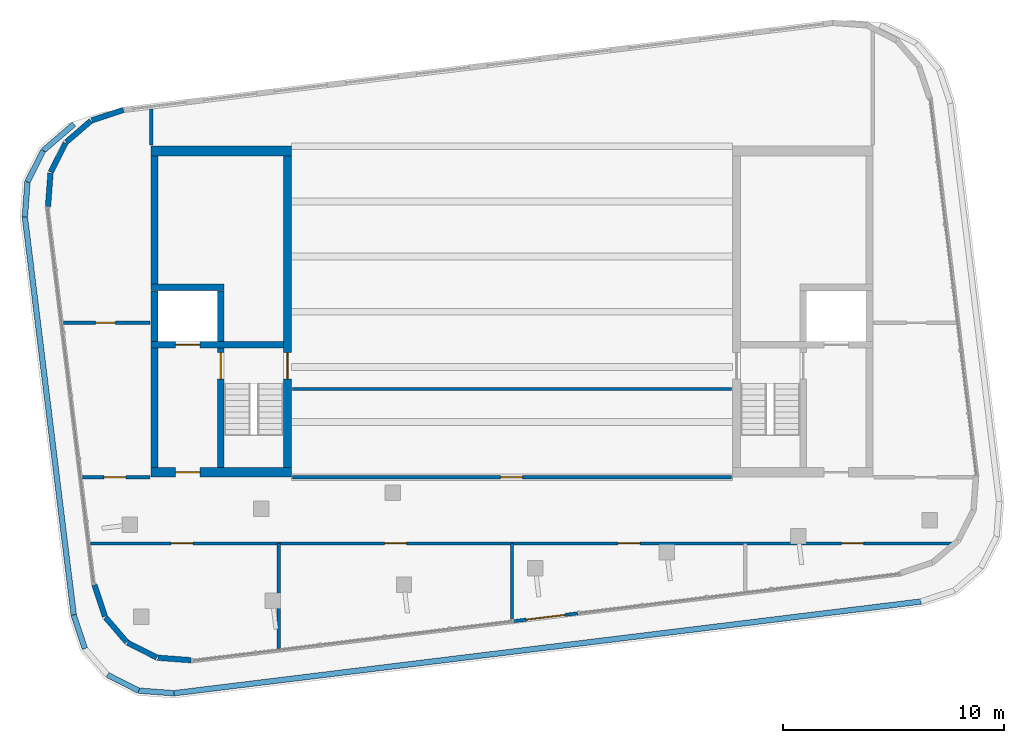
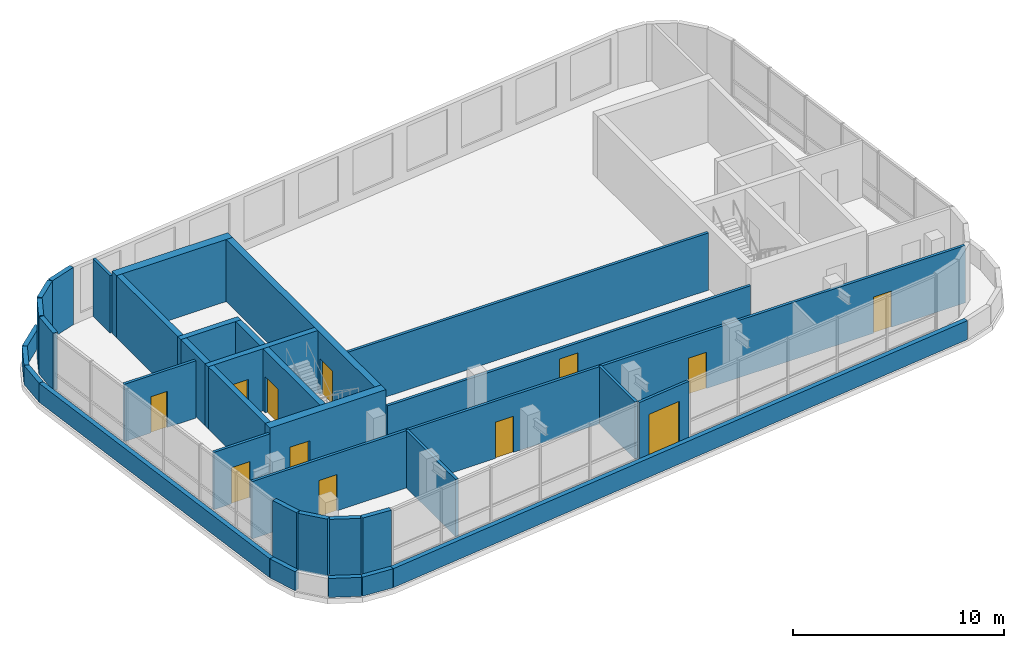
# One storey, part 5 of 8: 35 walls, 12 doors, 12 openings.
"""IFC4 building model written with IfcOpenShell, lengths in metres."""

from ifc_helpers import new_model, si_unit, direction, frame, frame_2d, origin, place, context, subcontext, project, spatial, rectangle, extrude, material, layer, layer_set, type_object, element, fill, save


model = new_model("IFC4")

# Units and contexts
model_context = context("Model", 3, precision=1e-05, world=origin(), true_north=direction((0.0, 1.0)))
body_context = subcontext(model_context, "Body", "Model", "MODEL_VIEW")
ifc_project = project(units=[si_unit("LENGTHUNIT", "METRE"), si_unit("AREAUNIT", "SQUARE_METRE"), si_unit("VOLUMEUNIT", "CUBIC_METRE"), si_unit("PLANEANGLEUNIT", "RADIAN"), si_unit("MASSUNIT", "GRAM", prefix="KILO")], contexts=[model_context])

# Site, building, storey
site_placement = place(None, origin())
site = spatial("IfcSite", under=ifc_project, at=site_placement, CompositionType="ELEMENT")
building_placement = place(site_placement, origin())
building = spatial("IfcBuilding", under=site, at=building_placement, Name="Torana Hotel and Residences", CompositionType="ELEMENT")
storey_placement = place(building_placement, frame((0.0, 0.0, 350.199951171875)))
storey = spatial("IfcBuildingStorey", under=building, at=storey_placement, Name="C2", CompositionType="ELEMENT", Elevation=350.199951171875)

# Walls
ifc_material_1 = material(Name="Concrete C50/60", Category="concrete")
ifc_layer_1 = layer(ifc_material_1, 0.300048828125)
ifc_layer_set_1 = layer_set([ifc_layer_1], Name="CORE WALL 300 C50/60")
wall_type_1 = type_object("IfcWallType", Name="CORE WALL 300 C50/60", PredefinedType="SHEAR", material=ifc_layer_set_1)
wall_1_placement = place(storey_placement, frame((-16.199951171875, -6.25, 0.0), z_axis=(0.0, 0.0, 1.0), x_axis=(0.0, 1.0, 0.0)))
element("IfcWall", 1, at=wall_1_placement, inside=storey, type_object=wall_type_1, Name="Core wall W outer-n", PredefinedType="SHEAR", context=body_context, shape_type="SweptSolid", body=[
    extrude(rectangle(XDim=5.800048828125, YDim=0.300048828125, at=frame_2d((2.89990234375, 0.0))), origin(), (0.0, 0.0, 1.0), 3.60009765625),
])
wall_2_placement = place(storey_placement, frame((-16.199951171875, -14.550048828125, 0.0), z_axis=(0.0, 0.0, 1.0), x_axis=(0.0, 1.0, 0.0)))
element("IfcWall", 2, at=wall_2_placement, inside=storey, type_object=wall_type_1, Name="Core wall W outer-s", PredefinedType="SHEAR", context=body_context, shape_type="SweptSolid", body=[
    extrude(rectangle(XDim=5.400146484375, YDim=0.300048828125, at=frame_2d((2.7001953125, 0.0))), origin(), (0.0, 0.0, 1.0), 3.60009765625),
])

# Wall, opening, door
wall_3_placement = place(storey_placement, frame((-16.35009765625, -9.0, 0.0), z_axis=(0.0, 0.0, 1.0), x_axis=(1.0, 0.0, 0.0)))
wall_3 = element("IfcWall", 3, at=wall_3_placement, inside=storey, type_object=wall_type_1, Name="Core wall W band", PredefinedType="SHEAR", context=body_context, shape_type="SweptSolid", body=[
    extrude(rectangle(XDim=6.0, YDim=0.300048828125, at=frame_2d((3.0, 0.0))), origin(), (0.0, 0.0, 1.0), 3.60009765625),
])
opening_1_placement = place(wall_3_placement, frame((1.10009765625, 0.0, 0.0)))
opening_1 = element("IfcOpeningElement", 4, at=opening_1_placement, cuts=wall_3, Name="Opening LD", PredefinedType="OPENING", context=body_context, shape_type="SweptSolid", body=[
    extrude(rectangle(XDim=1.10009765625, YDim=2.10009765625, at=frame_2d((0.550048828125, 1.050048828125))), frame((0.0, 0.159912109375, 0.0), z_axis=(0.0, -1.0, 0.0), x_axis=(1.0, 0.0, 0.0)), (0.0, 0.0, 1.0), 0.320068359375),
])
ifc_material_2 = material(Name="Stainless steel 316", Category="steel")
door_type_1 = type_object("IfcDoorType", Name="LIFT LANDING DOOR LD 1100x2100", OperationType="DOUBLE_DOOR_SLIDING", PredefinedType="USERDEFINED", material=ifc_material_2)
door_1_placement = place(opening_1_placement, origin())
door_1 = element("IfcDoor", 5, at=door_1_placement, inside=storey, type_object=door_type_1, Name="Lift landing door FF1 C2", ObjectType="LIFT LANDING DOOR", OperationType="DOUBLE_DOOR_SLIDING", OverallHeight=2.10009765625, OverallWidth=1.10009765625, PredefinedType="USERDEFINED", context=body_context, shape_type="SweptSolid", body=[
    extrude(rectangle(XDim=1.10009765625, YDim=2.10009765625, at=frame_2d((0.550048828125, 1.050048828125))), frame((0.0, 0.02490234375, 0.0), z_axis=(0.0, -1.0, 0.0), x_axis=(1.0, 0.0, 0.0)), (0.0, 0.0, 1.0), 0.050048828125),
])
fill(opening_1, door_1)

wall_4_placement = place(storey_placement, frame((-13.199951171875, -14.550048828125, 0.0), z_axis=(0.0, 0.0, 1.0), x_axis=(0.0, 1.0, 0.0)))
wall_4 = element("IfcWall", 6, at=wall_4_placement, inside=storey, type_object=wall_type_1, Name="Core wall W x3.05-band", PredefinedType="SHEAR", context=body_context, shape_type="SweptSolid", body=[
    extrude(rectangle(XDim=5.400146484375, YDim=0.300048828125, at=frame_2d((2.7001953125, 0.0))), origin(), (0.0, 0.0, 1.0), 3.60009765625),
])
opening_2_placement = place(wall_4_placement, frame((4.0, 0.0, 0.0)))
opening_2 = element("IfcOpeningElement", 7, at=opening_2_placement, cuts=wall_4, Name="Opening C2-03", PredefinedType="OPENING", context=body_context, shape_type="SweptSolid", body=[
    extrude(rectangle(XDim=1.199951171875, YDim=2.10009765625, at=frame_2d((0.60009765625, 1.050048828125))), frame((0.0, 0.159912109375, 0.0), z_axis=(0.0, -1.0, 0.0), x_axis=(1.0, 0.0, 0.0)), (0.0, 0.0, 1.0), 0.320068359375),
])
ifc_material_3 = material(Name="Steel S235", Category="steel")
door_type_2 = type_object("IfcDoorType", Name="STAIR FIRE DOOR D3 1200x2100", OperationType="SINGLE_SWING_LEFT", PredefinedType="DOOR", material=ifc_material_3)
door_2_placement = place(opening_2_placement, frame((0.60009765625, 0.0, 0.0), z_axis=(0.0, 0.0, 1.0), x_axis=(-1.0, 0.0, 0.0)))
door_2 = element("IfcDoor", 8, at=door_2_placement, inside=storey, type_object=door_type_2, Name="Stair-A-lobby door C2", OperationType="SINGLE_SWING_RIGHT", OverallHeight=2.10009765625, OverallWidth=1.199951171875, PredefinedType="DOOR", context=body_context, shape_type="SweptSolid", body=[
    extrude(rectangle(XDim=1.199951171875, YDim=2.10009765625, at=frame_2d((0.0, 1.050048828125))), frame((0.0, -0.02490234375, 0.0), z_axis=(0.0, 1.0, 0.0), x_axis=(-1.0, 0.0, 0.0)), (0.0, 0.0, 1.0), 0.050048828125),
])
fill(opening_2, door_2)

# Walls
wall_5_placement = place(storey_placement, frame((-16.35009765625, -6.39990234375, 0.0), z_axis=(0.0, 0.0, 1.0), x_axis=(1.0, 0.0, 0.0)))
element("IfcWall", 9, at=wall_5_placement, inside=storey, type_object=wall_type_1, Name="Core wall W row-S", PredefinedType="SHEAR", context=body_context, shape_type="SweptSolid", body=[
    extrude(rectangle(XDim=3.300048828125, YDim=0.300048828125, at=frame_2d((1.64990234375, 0.0))), origin(), (0.0, 0.0, 1.0), 3.60009765625),
])
for number, where, z_axis, x_axis, name in (
    (10, (-13.199951171875, -8.85009765625, 0.0), (0.0, 0.0, 1.0), (0.0, 1.0, 0.0), "Core wall W x3.05-S"),
    (11, (-16.199951171875, -8.85009765625, 0.0), (0.0, 0.0, 1.0), (0.0, 1.0, 0.0), "Core wall W x6.05-S"),
):
    element("IfcWall", number, at=place(storey_placement, frame(where, z_axis=z_axis, x_axis=x_axis)), inside=storey, type_object=wall_type_1, Name=name, PredefinedType="SHEAR", context=body_context, shape_type="SweptSolid", body=[
        extrude(rectangle(XDim=2.300048828125, YDim=0.300048828125, at=frame_2d((1.14990234375, 0.0))), origin(), (0.0, 0.0, 1.0), 3.60009765625),
    ])

# Wall, opening, door
ifc_material_4 = material(Name="Concrete C50/60", Category="concrete")
ifc_layer_2 = layer(ifc_material_4, 0.35009765625)
ifc_layer_set_2 = layer_set([ifc_layer_2], Name="CORE WALL 350 C50/60")
wall_type_2 = type_object("IfcWallType", Name="CORE WALL 350 C50/60", PredefinedType="SHEAR", material=ifc_layer_set_2)
wall_6_placement = place(storey_placement, frame((-10.175048828125, -14.550048828125, 0.0), z_axis=(0.0, 0.0, 1.0), x_axis=(0.0, 1.0, 0.0)))
wall_6 = element("IfcWall", 12, at=wall_6_placement, inside=storey, type_object=wall_type_2, Name="Core wall W arch", PredefinedType="SHEAR", context=body_context, shape_type="SweptSolid", body=[
    extrude(rectangle(XDim=14.10009765625, YDim=0.35009765625, at=frame_2d((7.050048828125, 0.0))), origin(), (0.0, 0.0, 1.0), 3.60009765625),
])
opening_3_placement = place(wall_6_placement, frame((4.0, 0.0, 0.0)))
opening_3 = element("IfcOpeningElement", 13, at=opening_3_placement, cuts=wall_6, Name="Opening C2-01", PredefinedType="OPENING", context=body_context, shape_type="SweptSolid", body=[
    extrude(rectangle(XDim=1.199951171875, YDim=2.10009765625, at=frame_2d((0.60009765625, 1.050048828125))), frame((0.0, 0.18505859375, 0.0), z_axis=(0.0, -1.0, 0.0), x_axis=(1.0, 0.0, 0.0)), (0.0, 0.0, 1.0), 0.3701171875),
])
door_3_placement = place(opening_3_placement, origin())
door_3 = element("IfcDoor", 14, at=door_3_placement, inside=storey, type_object=door_type_2, Name="Stair-A door C2", OperationType="SINGLE_SWING_LEFT", OverallHeight=2.10009765625, OverallWidth=1.199951171875, PredefinedType="DOOR", context=body_context, shape_type="SweptSolid", body=[
    extrude(rectangle(XDim=1.199951171875, YDim=2.10009765625, at=frame_2d((0.60009765625, 1.050048828125))), frame((0.0, 0.02490234375, 0.0), z_axis=(0.0, -1.0, 0.0), x_axis=(1.0, 0.0, 0.0)), (0.0, 0.0, 1.0), 0.050048828125),
])
fill(opening_3, door_3)

# Wall
ifc_material_5 = material(Name="Concrete C50/60", Category="concrete")
ifc_layer_3 = layer(ifc_material_5, 0.449951171875)
ifc_layer_set_3 = layer_set([ifc_layer_3], Name="CORE WALL 450 C50/60")
wall_type_3 = type_object("IfcWallType", Name="CORE WALL 450 C50/60", PredefinedType="SHEAR", material=ifc_layer_set_3)
wall_7_placement = place(storey_placement, frame((-16.35009765625, -0.22509765625, 0.0), z_axis=(0.0, 0.0, 1.0), x_axis=(1.0, 0.0, 0.0)))
element("IfcWall", 15, at=wall_7_placement, inside=storey, type_object=wall_type_3, Name="Core wall W rear", PredefinedType="SHEAR", context=body_context, shape_type="SweptSolid", body=[
    extrude(rectangle(XDim=6.35009765625, YDim=0.449951171875, at=frame_2d((3.175048828125, 0.0))), origin(), (0.0, 0.0, 1.0), 3.60009765625),
])

# Wall, opening, door
wall_8_placement = place(storey_placement, frame((-16.35009765625, -14.77490234375, 0.0), z_axis=(0.0, 0.0, 1.0), x_axis=(1.0, 0.0, 0.0)))
wall_8 = element("IfcWall", 16, at=wall_8_placement, inside=storey, type_object=wall_type_3, Name="Core wall W front", PredefinedType="SHEAR", context=body_context, shape_type="SweptSolid", body=[
    extrude(rectangle(XDim=6.35009765625, YDim=0.449951171875, at=frame_2d((3.175048828125, 0.0))), origin(), (0.0, 0.0, 1.0), 3.60009765625),
])
opening_4_placement = place(wall_8_placement, frame((1.10009765625, 0.0, 0.0)))
opening_4 = element("IfcOpeningElement", 17, at=opening_4_placement, cuts=wall_8, Name="Opening C2-02", PredefinedType="OPENING", context=body_context, shape_type="SweptSolid", body=[
    extrude(rectangle(XDim=1.10009765625, YDim=2.10009765625, at=frame_2d((0.550048828125, 1.050048828125))), frame((0.0, 0.23486328125, 0.0), z_axis=(0.0, -1.0, 0.0), x_axis=(1.0, 0.0, 0.0)), (0.0, 0.0, 1.0), 0.469970703125),
])
ifc_material_6 = material(Name="Steel S235", Category="steel")
door_type_3 = type_object("IfcDoorType", Name="FIRE-FIGHTING LOBBY DOOR D8 1100x2100", OperationType="SINGLE_SWING_LEFT", PredefinedType="DOOR", material=ifc_material_6)
door_4_placement = place(opening_4_placement, origin())
door_4 = element("IfcDoor", 18, at=door_4_placement, inside=storey, type_object=door_type_3, Name="FF-lobby door C2", OperationType="SINGLE_SWING_RIGHT", OverallHeight=2.10009765625, OverallWidth=1.10009765625, PredefinedType="DOOR", context=body_context, shape_type="SweptSolid", body=[
    extrude(rectangle(XDim=1.10009765625, YDim=2.10009765625, at=frame_2d((0.550048828125, 1.050048828125))), frame((0.0, 0.02490234375, 0.0), z_axis=(0.0, -1.0, 0.0), x_axis=(1.0, 0.0, 0.0)), (0.0, 0.0, 1.0), 0.050048828125),
])
fill(opening_4, door_4)

# Walls
ifc_material_7 = material(Name="Aluminium louvre wall", Category="aluminium")
ifc_layer_4 = layer(ifc_material_7, 0.25)
ifc_layer_set_4 = layer_set([ifc_layer_4], Name="EW3 LOUVRE WALL 250")
wall_type_4 = type_object("IfcWallType", Name="EW3 LOUVRE WALL 250", PredefinedType="SOLIDWALL", material=ifc_layer_set_4)
wall_9_placement = place(storey_placement, frame((-17.610107421875, 1.644775390625, 0.0), z_axis=(0.0, 0.0, 1.0), x_axis=(-0.949667726079, -0.313259014305, 0.0)))
element("IfcWall", 19, at=wall_9_placement, inside=storey, type_object=wall_type_4, Name="Louvre wall C2 e0.5", PredefinedType="SOLIDWALL", context=body_context, shape_type="SweptSolid", body=[
    extrude(rectangle(XDim=1.505615234375, YDim=0.25, at=frame_2d((0.7529296875, 0.0))), origin(), (0.0, 0.0, 1.0), 3.320068359375),
])
for number, where, z_axis, x_axis, name in (
    (20, (-19.08251953125, 1.149169921875, 0.0), (0.0, 0.0, 1.0), (-0.757589875715, -0.652730863538, 0.0), "Louvre wall C2 e0.6"),
    (21, (-20.234375, 0.14404296875, 0.0), (0.0, 0.0, 1.0), (-0.450113069712, -0.892971569802, 0.0), "Louvre wall C2 e0.7"),
):
    element("IfcWall", number, at=place(storey_placement, frame(where, z_axis=z_axis, x_axis=x_axis)), inside=storey, type_object=wall_type_4, Name=name, PredefinedType="SOLIDWALL", context=body_context, shape_type="SweptSolid", body=[
        extrude(rectangle(XDim=1.480712890625, YDim=0.25, at=frame_2d((0.740234375, 0.0))), origin(), (0.0, 0.0, 1.0), 3.320068359375),
    ])
for number, where, z_axis, x_axis, name in (
    (22, (-20.913818359375, -1.22509765625, 0.0), (0.0, 0.0, 1.0), (-0.074092647143, -0.997251362315, 0.0), "Louvre wall C2 e0.8"),
    (23, (-18.919677734375, -19.877685546875, 0.0), (0.0, 0.0, 1.0), (0.31321078528, -0.94968363363, 0.0), "Louvre wall C2 e0.10"),
):
    element("IfcWall", number, at=place(storey_placement, frame(where, z_axis=z_axis, x_axis=x_axis)), inside=storey, type_object=wall_type_4, Name=name, PredefinedType="SOLIDWALL", context=body_context, shape_type="SweptSolid", body=[
        extrude(rectangle(XDim=1.505859375, YDim=0.25, at=frame_2d((0.7529296875, 0.0))), origin(), (0.0, 0.0, 1.0), 3.320068359375),
    ])
wall_10_placement = place(storey_placement, frame((-18.424072265625, -21.350341796875, 0.0), z_axis=(0.0, 0.0, 1.0), x_axis=(0.65281239985, -0.757519617305, 0.0)))
element("IfcWall", 24, at=wall_10_placement, inside=storey, type_object=wall_type_4, Name="Louvre wall C2 e0.11", PredefinedType="SOLIDWALL", context=body_context, shape_type="SweptSolid", body=[
    extrude(rectangle(XDim=1.480712890625, YDim=0.25, at=frame_2d((0.740234375, 0.0))), origin(), (0.0, 0.0, 1.0), 3.320068359375),
])
wall_11_placement = place(storey_placement, frame((-17.419189453125, -22.502197265625, 0.0), z_axis=(0.0, 0.0, 1.0), x_axis=(0.893004966714, -0.450046808036, 0.0)))
element("IfcWall", 25, at=wall_11_placement, inside=storey, type_object=wall_type_4, Name="Louvre wall C2 e0.12", PredefinedType="SOLIDWALL", context=body_context, shape_type="SweptSolid", body=[
    extrude(rectangle(XDim=1.48095703125, YDim=0.25, at=frame_2d((0.740478515625, 0.0))), origin(), (0.0, 0.0, 1.0), 3.320068359375),
])
wall_12_placement = place(storey_placement, frame((-16.0498046875, -23.181640625, 0.0), z_axis=(0.0, 0.0, 1.0), x_axis=(0.997251362315, -0.074092647143, 0.0)))
element("IfcWall", 26, at=wall_12_placement, inside=storey, type_object=wall_type_4, Name="Louvre wall C2 e0.13", PredefinedType="SOLIDWALL", context=body_context, shape_type="SweptSolid", body=[
    extrude(rectangle(XDim=1.505859375, YDim=0.25, at=frame_2d((0.7529296875, 0.0))), origin(), (0.0, 0.0, 1.0), 3.320068359375),
])

# Wall, openings, doors
ifc_material_8 = material(Name="Gypsum plaster")
ifc_layer_5 = layer(ifc_material_8, 0.014892578125, Name="Plaster", Category="finish")
ifc_material_9 = material(Name="Concrete blockwork", Category="masonry")
ifc_layer_6 = layer(ifc_material_9, 0.1201171875, Name="Blockwork", Category="structure")
ifc_layer_7 = layer(ifc_material_8, 0.014892578125, Name="Plaster", Category="finish")
ifc_layer_set_5 = layer_set([ifc_layer_5, ifc_layer_6, ifc_layer_7], Name="FIRE PARTITION 150 BLOCKWORK")
wall_type_5 = type_object("IfcWallType", Name="FIRE PARTITION 150 BLOCKWORK", PredefinedType="PARTITIONING", material=ifc_layer_set_5)
wall_13_placement = place(storey_placement, frame((-19.09716796875, -18.0, 0.0), z_axis=(0.0, 0.0, 1.0), x_axis=(1.0, 0.0, 0.0)))
wall_13 = element("IfcWall", 27, at=wall_13_placement, inside=storey, type_object=wall_type_5, Name="Partition C2", PredefinedType="PARTITIONING", context=body_context, shape_type="SweptSolid", body=[
    extrude(rectangle(XDim=39.0810546875, YDim=0.14990234375, at=frame_2d((19.54052734375, 0.0))), origin(), (0.0, 0.0, 1.0), 3.320068359375),
])
opening_5_placement = place(wall_13_placement, frame((3.651123046875, 0.0, 0.0)))
opening_5 = element("IfcOpeningElement", 28, at=opening_5_placement, cuts=wall_13, Name="Opening C2-08", PredefinedType="OPENING", context=body_context, shape_type="SweptSolid", body=[
    extrude(rectangle(XDim=1.0, YDim=2.10009765625, at=frame_2d((0.5, 1.050048828125))), frame((0.0, 0.0849609375, 0.0), z_axis=(0.0, -1.0, 0.0), x_axis=(1.0, 0.0, 0.0)), (0.0, 0.0, 1.0), 0.169921875),
])
opening_6_placement = place(wall_13_placement, frame((13.3271484375, 0.0, 0.0)))
opening_6 = element("IfcOpeningElement", 29, at=opening_6_placement, cuts=wall_13, Name="Opening C2-09", PredefinedType="OPENING", context=body_context, shape_type="SweptSolid", body=[
    extrude(rectangle(XDim=1.0, YDim=2.10009765625, at=frame_2d((0.5, 1.050048828125))), frame((0.0, 0.0849609375, 0.0), z_axis=(0.0, -1.0, 0.0), x_axis=(1.0, 0.0, 0.0)), (0.0, 0.0, 1.0), 0.169921875),
])
opening_7_placement = place(wall_13_placement, frame((23.9033203125, 0.0, 0.0)))
opening_7 = element("IfcOpeningElement", 30, at=opening_7_placement, cuts=wall_13, Name="Opening C2-10", PredefinedType="OPENING", context=body_context, shape_type="SweptSolid", body=[
    extrude(rectangle(XDim=1.0, YDim=2.10009765625, at=frame_2d((0.5, 1.050048828125))), frame((0.0, 0.0849609375, 0.0), z_axis=(0.0, -1.0, 0.0), x_axis=(1.0, 0.0, 0.0)), (0.0, 0.0, 1.0), 0.169921875),
])
opening_8_placement = place(wall_13_placement, frame((34.037109375, 0.0, 0.0)))
opening_8 = element("IfcOpeningElement", 31, at=opening_8_placement, cuts=wall_13, Name="Opening C2-11", PredefinedType="OPENING", context=body_context, shape_type="SweptSolid", body=[
    extrude(rectangle(XDim=1.0, YDim=2.10009765625, at=frame_2d((0.5, 1.050048828125))), frame((0.0, 0.0849609375, 0.0), z_axis=(0.0, -1.0, 0.0), x_axis=(1.0, 0.0, 0.0)), (0.0, 0.0, 1.0), 0.169921875),
])
ifc_material_10 = material(Name="Steel S235", Category="steel")
door_type_4 = type_object("IfcDoorType", Name="ENTRY FIRE DOOR D6 1000x2100", OperationType="SINGLE_SWING_LEFT", PredefinedType="DOOR", material=ifc_material_10)
door_5_placement = place(opening_5_placement, frame((0.5, 0.0, 0.0), z_axis=(0.0, 0.0, 1.0), x_axis=(-1.0, 0.0, 0.0)))
door_5 = element("IfcDoor", 32, at=door_5_placement, inside=storey, type_object=door_type_4, Name="Door C2", OperationType="SINGLE_SWING_LEFT", OverallHeight=2.10009765625, OverallWidth=1.0, PredefinedType="DOOR", context=body_context, shape_type="SweptSolid", body=[
    extrude(rectangle(XDim=1.0, YDim=2.10009765625, at=frame_2d((0.0, 1.050048828125))), frame((0.0, -0.02490234375, 0.0), z_axis=(0.0, 1.0, 0.0), x_axis=(-1.0, 0.0, 0.0)), (0.0, 0.0, 1.0), 0.050048828125),
])
fill(opening_5, door_5)
door_6_placement = place(opening_6_placement, frame((0.5, 0.0, 0.0), z_axis=(0.0, 0.0, 1.0), x_axis=(-1.0, 0.0, 0.0)))
door_6 = element("IfcDoor", 33, at=door_6_placement, inside=storey, type_object=door_type_4, Name="Door C2", OperationType="SINGLE_SWING_LEFT", OverallHeight=2.10009765625, OverallWidth=1.0, PredefinedType="DOOR", context=body_context, shape_type="SweptSolid", body=[
    extrude(rectangle(XDim=1.0, YDim=2.10009765625, at=frame_2d((0.0, 1.050048828125))), frame((0.0, -0.02490234375, 0.0), z_axis=(0.0, 1.0, 0.0), x_axis=(-1.0, 0.0, 0.0)), (0.0, 0.0, 1.0), 0.050048828125),
])
fill(opening_6, door_6)
door_7_placement = place(opening_7_placement, frame((0.5, 0.0, 0.0), z_axis=(0.0, 0.0, 1.0), x_axis=(-1.0, 0.0, 0.0)))
door_7 = element("IfcDoor", 34, at=door_7_placement, inside=storey, type_object=door_type_4, Name="Door C2", OperationType="SINGLE_SWING_RIGHT", OverallHeight=2.10009765625, OverallWidth=1.0, PredefinedType="DOOR", context=body_context, shape_type="SweptSolid", body=[
    extrude(rectangle(XDim=1.0, YDim=2.10009765625, at=frame_2d((0.0, 1.050048828125))), frame((0.0, -0.02490234375, 0.0), z_axis=(0.0, 1.0, 0.0), x_axis=(-1.0, 0.0, 0.0)), (0.0, 0.0, 1.0), 0.050048828125),
])
fill(opening_7, door_7)
door_8_placement = place(opening_8_placement, frame((0.5, 0.0, 0.0), z_axis=(0.0, 0.0, 1.0), x_axis=(-1.0, 0.0, 0.0)))
door_8 = element("IfcDoor", 35, at=door_8_placement, inside=storey, type_object=door_type_4, Name="Door C2", OperationType="SINGLE_SWING_LEFT", OverallHeight=2.10009765625, OverallWidth=1.0, PredefinedType="DOOR", context=body_context, shape_type="SweptSolid", body=[
    extrude(rectangle(XDim=1.0, YDim=2.10009765625, at=frame_2d((0.0, 1.050048828125))), frame((0.0, -0.02490234375, 0.0), z_axis=(0.0, 1.0, 0.0), x_axis=(-1.0, 0.0, 0.0)), (0.0, 0.0, 1.0), 0.050048828125),
])
fill(opening_8, door_8)

# Wall, opening, door
wall_14_placement = place(storey_placement, frame((-19.465576171875, -15.0, 0.0), z_axis=(0.0, 0.0, 1.0), x_axis=(1.0, 0.0, 0.0)))
wall_14 = element("IfcWall", 36, at=wall_14_placement, inside=storey, type_object=wall_type_5, Name="Partition C2", PredefinedType="PARTITIONING", context=body_context, shape_type="SweptSolid", body=[
    extrude(rectangle(XDim=3.065673828125, YDim=0.14990234375, at=frame_2d((1.53271484375, 0.0))), origin(), (0.0, 0.0, 1.0), 3.320068359375),
])
opening_9_placement = place(wall_14_placement, frame((0.967529296875, 0.0, 0.0)))
opening_9 = element("IfcOpeningElement", 37, at=opening_9_placement, cuts=wall_14, Name="Opening C2-12", PredefinedType="OPENING", context=body_context, shape_type="SweptSolid", body=[
    extrude(rectangle(XDim=1.0, YDim=2.10009765625, at=frame_2d((0.5, 1.050048828125))), frame((0.0, 0.0849609375, 0.0), z_axis=(0.0, -1.0, 0.0), x_axis=(1.0, 0.0, 0.0)), (0.0, 0.0, 1.0), 0.169921875),
])
ifc_material_11 = material(Name="Steel S235", Category="steel")
door_type_5 = type_object("IfcDoorType", Name="CORE ROOM FIRE DOOR D14 1000x2100", OperationType="SINGLE_SWING_LEFT", PredefinedType="DOOR", material=ifc_material_11)
door_9_placement = place(opening_9_placement, origin())
door_9 = element("IfcDoor", 38, at=door_9_placement, inside=storey, type_object=door_type_5, Name="Door C2", OperationType="SINGLE_SWING_RIGHT", OverallHeight=2.10009765625, OverallWidth=1.0, PredefinedType="DOOR", context=body_context, shape_type="SweptSolid", body=[
    extrude(rectangle(XDim=1.0, YDim=2.10009765625, at=frame_2d((0.5, 1.050048828125))), frame((0.0, 0.02490234375, 0.0), z_axis=(0.0, -1.0, 0.0), x_axis=(1.0, 0.0, 0.0)), (0.0, 0.0, 1.0), 0.050048828125),
])
fill(opening_9, door_9)

wall_15_placement = place(storey_placement, frame((-9.949951171875, -15.0, 0.0), z_axis=(0.0, 0.0, 1.0), x_axis=(1.0, 0.0, 0.0)))
wall_15 = element("IfcWall", 39, at=wall_15_placement, inside=storey, type_object=wall_type_5, Name="Partition C2", PredefinedType="PARTITIONING", context=body_context, shape_type="SweptSolid", body=[
    extrude(rectangle(XDim=19.89990234375, YDim=0.14990234375, at=frame_2d((9.949951171875, 0.0))), origin(), (0.0, 0.0, 1.0), 2.68408203125),
])
opening_10_placement = place(wall_15_placement, frame((9.429931640625, 0.0, 0.0)))
opening_10 = element("IfcOpeningElement", 40, at=opening_10_placement, cuts=wall_15, Name="Opening C2-07", PredefinedType="OPENING", context=body_context, shape_type="SweptSolid", body=[
    extrude(rectangle(XDim=1.0, YDim=2.10009765625, at=frame_2d((0.5, 1.050048828125))), frame((0.0, 0.0849609375, 0.0), z_axis=(0.0, -1.0, 0.0), x_axis=(1.0, 0.0, 0.0)), (0.0, 0.0, 1.0), 0.169921875),
])
door_10_placement = place(opening_10_placement, origin())
door_10 = element("IfcDoor", 41, at=door_10_placement, inside=storey, type_object=door_type_4, Name="Door C2", OperationType="SINGLE_SWING_RIGHT", OverallHeight=2.10009765625, OverallWidth=1.0, PredefinedType="DOOR", context=body_context, shape_type="SweptSolid", body=[
    extrude(rectangle(XDim=1.0, YDim=2.10009765625, at=frame_2d((0.5, 1.050048828125))), frame((0.0, 0.02490234375, 0.0), z_axis=(0.0, -1.0, 0.0), x_axis=(1.0, 0.0, 0.0)), (0.0, 0.0, 1.0), 0.050048828125),
])
fill(opening_10, door_10)

# Wall
wall_16_placement = place(storey_placement, frame((-9.949951171875, -11.0, 0.0), z_axis=(0.0, 0.0, 1.0), x_axis=(1.0, 0.0, 0.0)))
element("IfcWall", 42, at=wall_16_placement, inside=storey, type_object=wall_type_5, Name="Partition C2", PredefinedType="PARTITIONING", context=body_context, shape_type="SweptSolid", body=[
    extrude(rectangle(XDim=19.89990234375, YDim=0.14990234375, at=frame_2d((9.949951171875, 0.0))), origin(), (0.0, 0.0, 1.0), 3.320068359375),
])

# Wall, opening, door
ifc_material_12 = material(Name="Dark glass screen in aluminium frame", Category="aluminium")
ifc_layer_8 = layer(ifc_material_12, 0.14990234375)
ifc_layer_set_6 = layer_set([ifc_layer_8], Name="GS1 GLAZED DOOR SCREEN 150")
wall_type_6 = type_object("IfcWallType", Name="GS1 GLAZED DOOR SCREEN 150", PredefinedType="USERDEFINED", material=ifc_layer_set_6)
wall_17_placement = place(storey_placement, frame((0.07470703125, -21.525390625, 0.0), z_axis=(0.0, 0.0, 1.0), x_axis=(0.992547507053, 0.121858303952, 0.0)))
wall_17 = element("IfcWall", 43, at=wall_17_placement, inside=storey, type_object=wall_type_6, Name="Glazed door screen C2", ObjectType="GLAZED SCREEN", PredefinedType="USERDEFINED", context=body_context, shape_type="SweptSolid", body=[
    extrude(rectangle(XDim=2.941162109375, YDim=0.14990234375, at=frame_2d((1.470703125, 0.0))), origin(), (0.0, 0.0, 1.0), 3.320068359375),
])
opening_11_placement = place(wall_17_placement, frame((0.570556640625, 0.0, 0.0)))
opening_11 = element("IfcOpeningElement", 44, at=opening_11_placement, cuts=wall_17, Name="Opening C2-E01", PredefinedType="OPENING", context=body_context, shape_type="SweptSolid", body=[
    extrude(rectangle(XDim=1.800048828125, YDim=2.39990234375, at=frame_2d((0.89990234375, 1.199951171875))), frame((0.0, 0.0849609375, 0.0), z_axis=(0.0, -1.0, 0.0), x_axis=(1.0, 0.0, 0.0)), (0.0, 0.0, 1.0), 0.169921875),
])
ifc_material_13 = material(Name="Dark glass in black aluminium frame", Category="aluminium")
door_type_6 = type_object("IfcDoorType", Name="DE2 TERRACE DOOR 1800x2400", OperationType="DOUBLE_DOOR_SINGLE_SWING", PredefinedType="DOOR", material=ifc_material_13)
door_11_placement = place(opening_11_placement, origin())
door_11 = element("IfcDoor", 45, at=door_11_placement, inside=storey, type_object=door_type_6, Name="Terrace door C2", OperationType="DOUBLE_DOOR_SINGLE_SWING", OverallHeight=2.39990234375, OverallWidth=1.800048828125, PredefinedType="DOOR", context=body_context, shape_type="SweptSolid", body=[
    extrude(rectangle(XDim=1.800048828125, YDim=2.39990234375, at=frame_2d((0.89990234375, 1.199951171875))), frame((0.0, 0.02490234375, 0.0), z_axis=(0.0, -1.0, 0.0), x_axis=(1.0, 0.0, 0.0)), (0.0, 0.0, 1.0), 0.050048828125),
])
fill(opening_11, door_11)

# Walls
ifc_material_14 = material(Name="Gypsum plasterboard")
ifc_layer_9 = layer(ifc_material_14, 0.012451171875, Name="Plasterboard", Category="finish")
ifc_layer_10 = layer(ifc_material_14, 0.012451171875, Name="Plasterboard", Category="finish")
ifc_material_15 = material(Name="Steel S280GD", Category="steel")
ifc_layer_11 = layer(ifc_material_15, 0.10009765625, Name="Steel studs with mineral wool", Category="insulation")
ifc_layer_12 = layer(ifc_material_14, 0.012451171875, Name="Plasterboard", Category="finish")
ifc_layer_13 = layer(ifc_material_14, 0.012451171875, Name="Plasterboard", Category="finish")
ifc_layer_set_7 = layer_set([ifc_layer_9, ifc_layer_10, ifc_layer_11, ifc_layer_12, ifc_layer_13], Name="PARTITION 150 PLASTERBOARD")
wall_type_7 = type_object("IfcWallType", Name="PARTITION 150 PLASTERBOARD", PredefinedType="PARTITIONING", material=ifc_layer_set_7)
wall_18_placement = place(storey_placement, frame((0.0, -21.4541015625, 0.0), z_axis=(0.0, 0.0, 1.0), x_axis=(0.0, 1.0, 0.0)))
element("IfcWall", 46, at=wall_18_placement, inside=storey, type_object=wall_type_7, Name="Partition C2", PredefinedType="PARTITIONING", context=body_context, shape_type="SweptSolid", body=[
    extrude(rectangle(XDim=3.4541015625, YDim=0.14990234375, at=frame_2d((1.72705078125, 0.0))), origin(), (0.0, 0.0, 1.0), 3.320068359375),
])
wall_19_placement = place(storey_placement, frame((-10.575927734375, -22.75244140625, 0.0), z_axis=(0.0, 0.0, 1.0), x_axis=(0.0, 1.0, 0.0)))
element("IfcWall", 47, at=wall_19_placement, inside=storey, type_object=wall_type_7, Name="Partition C2", PredefinedType="PARTITIONING", context=body_context, shape_type="SweptSolid", body=[
    extrude(rectangle(XDim=4.75244140625, YDim=0.14990234375, at=frame_2d((2.376220703125, 0.0))), origin(), (0.0, 0.0, 1.0), 3.320068359375),
])
wall_20_placement = place(storey_placement, frame((-16.35009765625, 0.050048828125, 0.0), z_axis=(0.0, 0.0, 1.0), x_axis=(0.0, 1.0, 0.0)))
element("IfcWall", 48, at=wall_20_placement, inside=storey, type_object=wall_type_7, Name="Partition C2", PredefinedType="PARTITIONING", context=body_context, shape_type="SweptSolid", body=[
    extrude(rectangle(XDim=1.635986328125, YDim=0.14990234375, at=frame_2d((0.81787109375, 0.0))), origin(), (0.0, 0.0, 1.0), 3.320068359375),
])

# Wall, opening, door
wall_21_placement = place(storey_placement, frame((-20.3251953125, -8.0, 0.0), z_axis=(0.0, 0.0, 1.0), x_axis=(1.0, 0.0, 0.0)))
wall_21 = element("IfcWall", 49, at=wall_21_placement, inside=storey, type_object=wall_type_7, Name="Partition C2", PredefinedType="PARTITIONING", context=body_context, shape_type="SweptSolid", body=[
    extrude(rectangle(XDim=3.92529296875, YDim=0.14990234375, at=frame_2d((1.962646484375, 0.0))), origin(), (0.0, 0.0, 1.0), 3.320068359375),
])
opening_12_placement = place(wall_21_placement, frame((1.447021484375, 0.0, 0.0)))
opening_12 = element("IfcOpeningElement", 50, at=opening_12_placement, cuts=wall_21, Name="Opening C2-13", PredefinedType="OPENING", context=body_context, shape_type="SweptSolid", body=[
    extrude(rectangle(XDim=0.89990234375, YDim=2.10009765625, at=frame_2d((0.449951171875, 1.050048828125))), frame((0.0, 0.0849609375, 0.0), z_axis=(0.0, -1.0, 0.0), x_axis=(1.0, 0.0, 0.0)), (0.0, 0.0, 1.0), 0.169921875),
])
ifc_material_16 = material(Name="Timber door, oiled ash", Category="wood")
door_type_7 = type_object("IfcDoorType", Name="ROOM DOOR D7 900x2100", OperationType="SINGLE_SWING_LEFT", PredefinedType="DOOR", material=ifc_material_16)
door_12_placement = place(opening_12_placement, origin())
door_12 = element("IfcDoor", 51, at=door_12_placement, inside=storey, type_object=door_type_7, Name="Door C2", OperationType="SINGLE_SWING_RIGHT", OverallHeight=2.10009765625, OverallWidth=0.89990234375, PredefinedType="DOOR", context=body_context, shape_type="SweptSolid", body=[
    extrude(rectangle(XDim=0.89990234375, YDim=2.10009765625, at=frame_2d((0.449951171875, 1.050048828125))), frame((0.0, 0.02490234375, 0.0), z_axis=(0.0, -1.0, 0.0), x_axis=(1.0, 0.0, 0.0)), (0.0, 0.0, 1.0), 0.050048828125),
])
fill(opening_12, door_12)

# Walls
ifc_material_17 = material(Name="Aluminium coping with drip", Category="aluminium")
ifc_layer_14 = layer(ifc_material_17, 0.0029296875, Name="Coping flashing", Category="flashing")
ifc_material_18 = material(Name="Concrete C40/50 precast", Category="concrete")
ifc_layer_15 = layer(ifc_material_18, 0.00390625, Name="Cladding", Category="cladding")
ifc_material_19 = material(Name="Concrete C40/50", Category="concrete")
ifc_layer_16 = layer(ifc_material_19, 0.199951171875, Name="Wall", Category="structure")
ifc_material_20 = material(Name="Mineral wool insulation")
ifc_layer_17 = layer(ifc_material_20, 0.0400390625, Name="Insulation", Category="insulation")
ifc_material_21 = material(Name="Waterproofing upstand")
ifc_layer_18 = layer(ifc_material_21, 0.0029296875, Name="Upstand membrane", Category="membrane")
ifc_layer_set_8 = layer_set([ifc_layer_14, ifc_layer_15, ifc_layer_16, ifc_layer_17, ifc_layer_18], Name="PP1 PARAPET 250")
wall_type_8 = type_object("IfcWallType", Name="PP1 PARAPET 250", PredefinedType="PARAPET", material=ifc_layer_set_8)
wall_22_placement = place(storey_placement, frame((18.531005859375, -20.63330078125, 0.0), z_axis=(0.0, 0.0, 1.0), x_axis=(-0.992546721183, -0.121864704768, 0.0)))
element("IfcWall", 52, at=wall_22_placement, inside=storey, type_object=wall_type_8, Name="Roof parapet C2 9", PredefinedType="PARAPET", context=body_context, shape_type="SweptSolid", body=[
    extrude(rectangle(XDim=34.109375, YDim=0.25, at=frame_2d((17.0546875, 0.0))), origin(), (0.0, 0.0, 1.0), 1.10009765625),
])
wall_23_placement = place(storey_placement, frame((-15.32421875, -24.7900390625, 0.0), z_axis=(0.0, 0.0, 1.0), x_axis=(-0.997247738148, 0.074141410546, 0.0)))
element("IfcWall", 53, at=wall_23_placement, inside=storey, type_object=wall_type_8, Name="Roof parapet C2 10", PredefinedType="PARAPET", context=body_context, shape_type="SweptSolid", body=[
    extrude(rectangle(XDim=1.600341796875, YDim=0.25, at=frame_2d((0.80029296875, 0.0))), origin(), (0.0, 0.0, 1.0), 1.10009765625),
])
wall_24_placement = place(storey_placement, frame((-16.920166015625, -24.67138671875, 0.0), z_axis=(0.0, 0.0, 1.0), x_axis=(-0.892999307843, 0.450058036472, 0.0)))
element("IfcWall", 54, at=wall_24_placement, inside=storey, type_object=wall_type_8, Name="Roof parapet C2 11", PredefinedType="PARAPET", context=body_context, shape_type="SweptSolid", body=[
    extrude(rectangle(XDim=1.578125, YDim=0.25, at=frame_2d((0.7890625, 0.0))), origin(), (0.0, 0.0, 1.0), 1.10009765625),
])
wall_25_placement = place(storey_placement, frame((-19.359619140625, -22.765380859375, 0.0), z_axis=(0.0, 0.0, 1.0), x_axis=(-0.313113242009, 0.949715798373, 0.0)))
element("IfcWall", 55, at=wall_25_placement, inside=storey, type_object=wall_type_8, Name="Roof parapet C2 13", PredefinedType="PARAPET", context=body_context, shape_type="SweptSolid", body=[
    extrude(rectangle(XDim=1.60009765625, YDim=0.25, at=frame_2d((0.800048828125, 0.0))), origin(), (0.0, 0.0, 1.0), 1.10009765625),
])
wall_26_placement = place(storey_placement, frame((-19.860595703125, -21.245849609375, 0.0), z_axis=(0.0, 0.0, 1.0), x_axis=(-0.121871564083, 0.992545878974, 0.0)))
element("IfcWall", 56, at=wall_26_placement, inside=storey, type_object=wall_type_8, Name="Roof parapet C2 14", PredefinedType="PARAPET", context=body_context, shape_type="SweptSolid", body=[
    extrude(rectangle(XDim=18.171630859375, YDim=0.25, at=frame_2d((9.0859375, 0.0))), origin(), (0.0, 0.0, 1.0), 1.10009765625),
])
wall_27_placement = place(storey_placement, frame((-22.0751953125, -3.209716796875, 0.0), z_axis=(0.0, 0.0, 1.0), x_axis=(0.074152691722, 0.997246899374, 0.0)))
element("IfcWall", 57, at=wall_27_placement, inside=storey, type_object=wall_type_8, Name="Roof parapet C2 15", PredefinedType="PARAPET", context=body_context, shape_type="SweptSolid", body=[
    extrude(rectangle(XDim=1.60009765625, YDim=0.25, at=frame_2d((0.800048828125, 0.0))), origin(), (0.0, 0.0, 1.0), 1.10009765625),
])
wall_28_placement = place(storey_placement, frame((-21.95654296875, -1.614013671875, 0.0), z_axis=(0.0, 0.0, 1.0), x_axis=(0.450119218566, 0.892968470371, 0.0)))
element("IfcWall", 58, at=wall_28_placement, inside=storey, type_object=wall_type_8, Name="Roof parapet C2 16", PredefinedType="PARAPET", context=body_context, shape_type="SweptSolid", body=[
    extrude(rectangle(XDim=1.578369140625, YDim=0.25, at=frame_2d((0.7890625, 0.0))), origin(), (0.0, 0.0, 1.0), 1.10009765625),
])
wall_29_placement = place(storey_placement, frame((-21.24609375, -0.20458984375, 0.0), z_axis=(0.0, 0.0, 1.0), x_axis=(0.75758852045, 0.652732436517, 0.0)))
element("IfcWall", 59, at=wall_29_placement, inside=storey, type_object=wall_type_8, Name="Roof parapet C2 17", PredefinedType="PARAPET", context=body_context, shape_type="SweptSolid", body=[
    extrude(rectangle(XDim=1.841796875, YDim=0.25, at=frame_2d((0.9208984375, 0.0))), origin(), (0.0, 0.0, 1.0), 1.10009765625),
])

save(model, "model.ifc")
